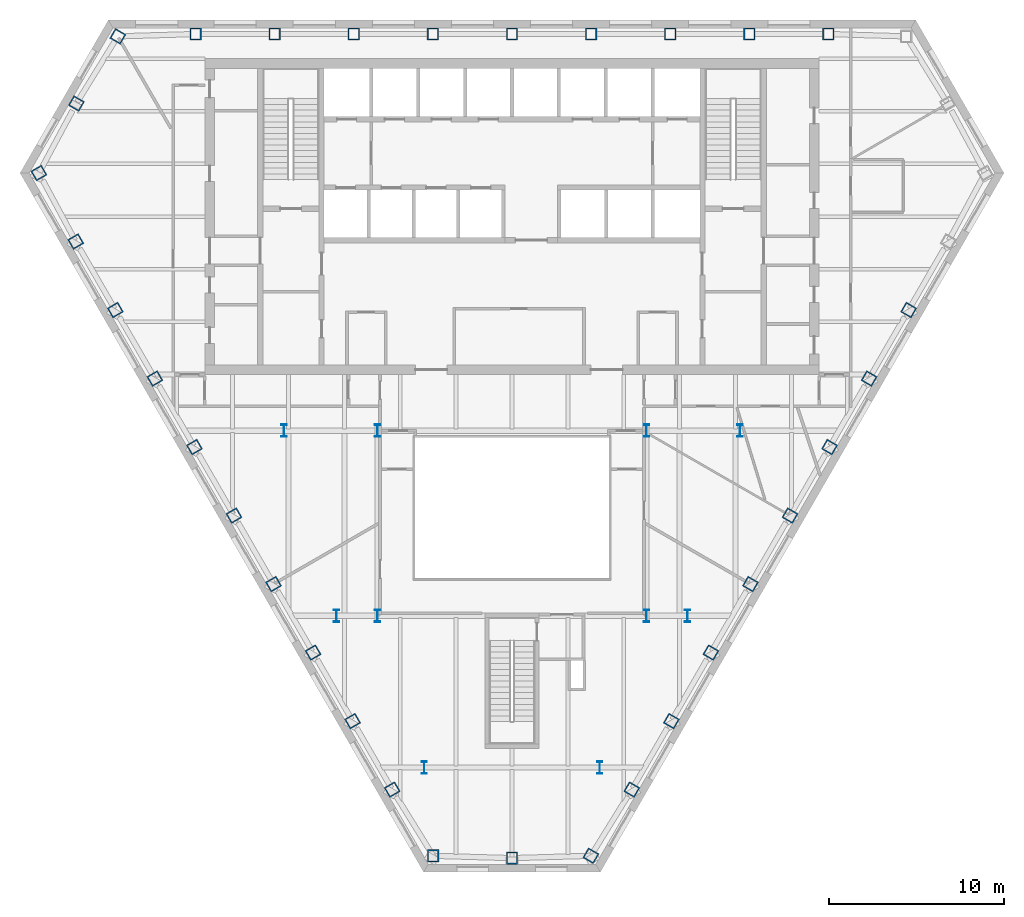
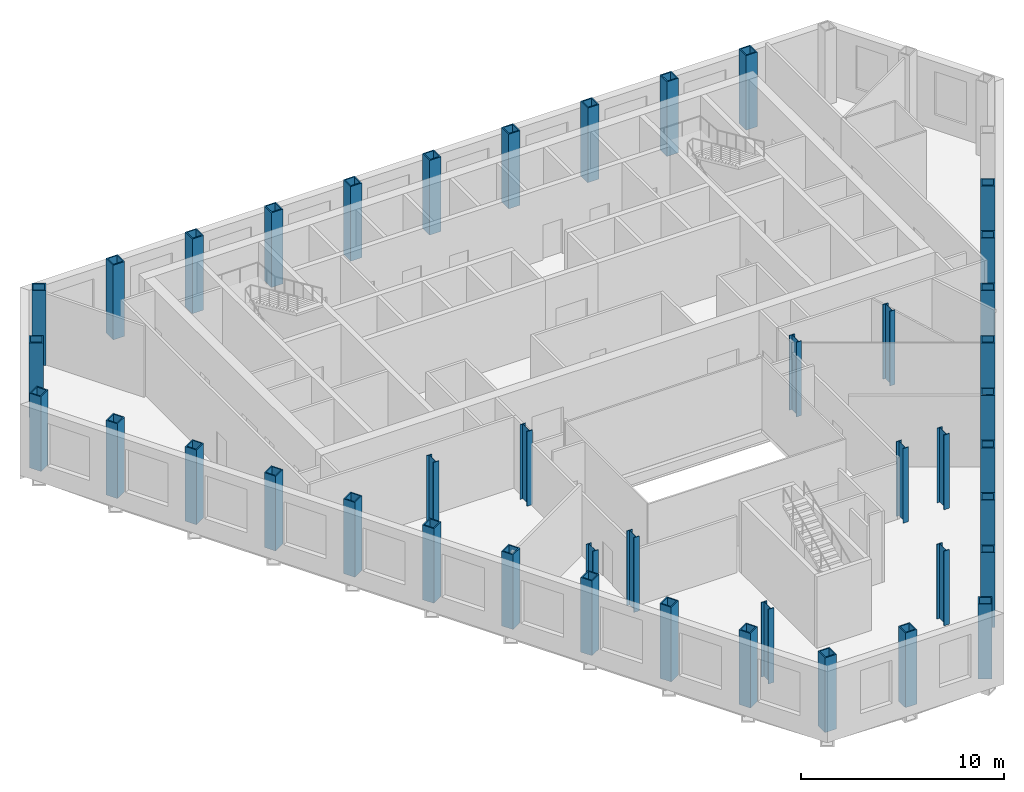
# One storey, part 1 of 11: 42 columns.
"""IFC4 building model written with IfcOpenShell, lengths in metres."""

from ifc_helpers import new_model, si_unit, direction, frame, origin, origin_2d, place, context, subcontext, project, spatial, hollow_rectangle, i_section, extrude, material, material_profile, profile_set, type_object, element, save


model = new_model("IFC4")

# Units and contexts
model_context = context("Model", 3, precision=1e-05, world=origin(), true_north=direction((0.0, 1.0)))
body_context = subcontext(model_context, "Body", "Model", "MODEL_VIEW")
ifc_project = project(units=[si_unit("LENGTHUNIT", "METRE"), si_unit("AREAUNIT", "SQUARE_METRE"), si_unit("VOLUMEUNIT", "CUBIC_METRE"), si_unit("PLANEANGLEUNIT", "RADIAN"), si_unit("MASSUNIT", "GRAM", prefix="KILO")], contexts=[model_context])

# Site, building, storey
site_placement = place(None, origin())
site = spatial("IfcSite", under=ifc_project, at=site_placement, CompositionType="ELEMENT")
building_placement = place(site_placement, origin())
building = spatial("IfcBuilding", under=site, at=building_placement, Name="Njiva Tower", CompositionType="ELEMENT")
storey_placement = place(building_placement, frame((0.0, 0.0, 97.8)))
storey = spatial("IfcBuildingStorey", under=building, at=storey_placement, Name="L20", CompositionType="ELEMENT", Elevation=97.8)

# Columns
ifc_material = material(Name="Steel S355 J2", Category="steel")
ifc_material_profile_1 = material_profile(ifc_material, hollow_rectangle(XDim=0.65, YDim=0.7, WallThickness=0.065, at=origin_2d()), Name="BOX 700x650x65")
ifc_profile_set_1 = profile_set([ifc_material_profile_1], Name="Steel S355 J2")
column_type_1 = type_object("IfcColumnType", Name="C7 Perimeter tube column BOX 700x650x65", PredefinedType="COLUMN", material=ifc_profile_set_1)
for number, where, z_axis, x_axis, name in (
    (1, (18.03, 19.4, 0.0), (0.0, 0.0, 1.0), (-1.0, 0.0, 0.0), "Perimeter tube column S07-C02"),
    (2, (13.523, 19.4, 0.0), (0.0, 0.0, 1.0), (-1.0, 0.0, 0.0), "Perimeter tube column S07-C03"),
    (3, (9.015, 19.4, 0.0), (0.0, 0.0, 1.0), (-1.0, 0.0, 0.0), "Perimeter tube column S07-C04"),
    (4, (4.508, 19.4, 0.0), (0.0, 0.0, 1.0), (-1.0, 0.0, 0.0), "Perimeter tube column S07-C05"),
    (5, (0.0, 19.4, 0.0), (0.0, 0.0, 1.0), (-1.0, 0.0, 0.0), "Perimeter tube column S07-C06"),
    (6, (-4.508, 19.4, 0.0), (0.0, 0.0, 1.0), (-1.0, 0.0, 0.0), "Perimeter tube column S07-C07"),
    (7, (-9.015, 19.4, 0.0), (0.0, 0.0, 1.0), (-1.0, 0.0, 0.0), "Perimeter tube column S07-C08"),
    (8, (-13.523, 19.4, 0.0), (0.0, 0.0, 1.0), (-1.0, 0.0, 0.0), "Perimeter tube column S07-C09"),
    (9, (-18.03, 19.4, 0.0), (0.0, 0.0, 1.0), (-1.0, 0.0, 0.0), "Perimeter tube column S07-C10"),
    (10, (-22.461, 19.267, 0.0), (0.0, 0.0, 1.0), (-0.5, -0.866025403784, 0.0), "Perimeter tube column S07-C11"),
    (11, (-24.825, 15.44, 0.0), (0.0, 0.0, 1.0), (-0.5, -0.866025403784, 0.0), "Perimeter tube column S07-C12"),
    (12, (-26.958, 11.479, 0.0), (0.0, 0.0, 1.0), (0.5, -0.866025403784, 0.0), "Perimeter tube column S07-C13"),
    (13, (-24.857, 7.575, 0.0), (0.0, 0.0, 1.0), (0.5, -0.866025403784, 0.0), "Perimeter tube column S07-C14"),
    (14, (-22.604, 3.672, 0.0), (0.0, 0.0, 1.0), (0.5, -0.866025403784, 0.0), "Perimeter tube column S07-C15"),
    (15, (-20.35, -0.232, 0.0), (0.0, 0.0, 1.0), (0.5, -0.866025403784, 0.0), "Perimeter tube column S07-C16"),
    (16, (-18.096, -4.136, 0.0), (0.0, 0.0, 1.0), (0.5, -0.866025403784, 0.0), "Perimeter tube column S07-C17"),
    (17, (-15.842, -8.039, 0.0), (0.0, 0.0, 1.0), (0.5, -0.866025403784, 0.0), "Perimeter tube column S07-C18"),
    (18, (-13.588, -11.943, 0.0), (0.0, 0.0, 1.0), (0.5, -0.866025403784, 0.0), "Perimeter tube column S07-C19"),
    (19, (-11.335, -15.847, 0.0), (0.0, 0.0, 1.0), (0.5, -0.866025403784, 0.0), "Perimeter tube column S07-C20"),
    (20, (-9.081, -19.751, 0.0), (0.0, 0.0, 1.0), (0.5, -0.866025403784, 0.0), "Perimeter tube column S07-C21"),
    (21, (-6.827, -23.654, 0.0), (0.0, 0.0, 1.0), (0.5, -0.866025403784, 0.0), "Perimeter tube column S07-C22"),
    (22, (-4.496, -27.425, 0.0), (0.0, 0.0, 1.0), (1.0, 0.0, 0.0), "Perimeter tube column S07-C23"),
    (23, (0.0, -27.558, 0.0), (0.0, 0.0, 1.0), (1.0, 0.0, 0.0), "Perimeter tube column S07-C24"),
    (24, (4.496, -27.425, 0.0), (0.0, 0.0, 1.0), (0.5, 0.866025403784, 0.0), "Perimeter tube column S07-C25"),
    (25, (6.827, -23.654, 0.0), (0.0, 0.0, 1.0), (0.5, 0.866025403784, 0.0), "Perimeter tube column S07-C26"),
    (26, (9.081, -19.751, 0.0), (0.0, 0.0, 1.0), (0.5, 0.866025403784, 0.0), "Perimeter tube column S07-C27"),
    (27, (11.335, -15.847, 0.0), (0.0, 0.0, 1.0), (0.5, 0.866025403784, 0.0), "Perimeter tube column S07-C28"),
    (28, (13.588, -11.943, 0.0), (0.0, 0.0, 1.0), (0.5, 0.866025403784, 0.0), "Perimeter tube column S07-C29"),
    (29, (15.842, -8.039, 0.0), (0.0, 0.0, 1.0), (0.5, 0.866025403784, 0.0), "Perimeter tube column S07-C30"),
    (30, (18.096, -4.136, 0.0), (0.0, 0.0, 1.0), (0.5, 0.866025403784, 0.0), "Perimeter tube column S07-C31"),
    (31, (20.35, -0.232, 0.0), (0.0, 0.0, 1.0), (0.5, 0.866025403784, 0.0), "Perimeter tube column S07-C32"),
    (32, (22.604, 3.672, 0.0), (0.0, 0.0, 1.0), (0.5, 0.866025403784, 0.0), "Perimeter tube column S07-C33"),
):
    element("IfcColumn", number, at=place(storey_placement, frame(where, z_axis=z_axis, x_axis=x_axis)), inside=storey, type_object=column_type_1, Name=name, PredefinedType="COLUMN", context=body_context, shape_type="SweptSolid", body=[
        extrude(hollow_rectangle(XDim=0.65, YDim=0.7, WallThickness=0.065, at=origin_2d()), origin(), (0.0, 0.0, 1.0), 4.5),
    ])
ifc_material_profile_2 = material_profile(ifc_material, i_section(OverallWidth=0.304, OverallDepth=0.716, WebThickness=0.021, FlangeThickness=0.04, at=origin_2d()), Name="HEM 700")
ifc_profile_set_2 = profile_set([ifc_material_profile_2], Name="Steel S355 J2")
column_type_2 = type_object("IfcColumnType", Name="C8 Interior column HEM 700", PredefinedType="COLUMN", material=ifc_profile_set_2)
for number, where, z_axis, x_axis, name in (
    (33, (7.67, -3.2, 0.0), (0.0, 0.0, 1.0), (1.0, 0.0, 0.0), "Interior column S07-C37"),
    (34, (-7.67, -3.2, 0.0), (0.0, 0.0, 1.0), (1.0, 0.0, 0.0), "Interior column S07-C38"),
    (35, (7.67, -13.75, 0.0), (0.0, 0.0, 1.0), (1.0, 0.0, 0.0), "Interior column S07-C39"),
    (36, (-7.67, -13.75, 0.0), (0.0, 0.0, 1.0), (1.0, 0.0, 0.0), "Interior column S07-C40"),
    (37, (5.0, -22.4, 0.0), (0.0, 0.0, 1.0), (1.0, 0.0, 0.0), "Interior column S07-C41"),
    (38, (-5.0, -22.4, 0.0), (0.0, 0.0, 1.0), (1.0, 0.0, 0.0), "Interior column S07-C42"),
    (39, (13.0, -3.2, 0.0), (0.0, 0.0, 1.0), (1.0, 0.0, 0.0), "Interior column S07-C43"),
    (40, (-13.0, -3.2, 0.0), (0.0, 0.0, 1.0), (1.0, 0.0, 0.0), "Interior column S07-C44"),
    (41, (10.0, -13.75, 0.0), (0.0, 0.0, 1.0), (1.0, 0.0, 0.0), "Interior column S07-C45"),
    (42, (-10.0, -13.75, 0.0), (0.0, 0.0, 1.0), (1.0, 0.0, 0.0), "Interior column S07-C46"),
):
    element("IfcColumn", number, at=place(storey_placement, frame(where, z_axis=z_axis, x_axis=x_axis)), inside=storey, type_object=column_type_2, Name=name, PredefinedType="COLUMN", context=body_context, shape_type="SweptSolid", body=[
        extrude(i_section(OverallWidth=0.304, OverallDepth=0.716, WebThickness=0.021, FlangeThickness=0.04, at=origin_2d()), origin(), (0.0, 0.0, 1.0), 4.5),
    ])

save(model, "model.ifc")
